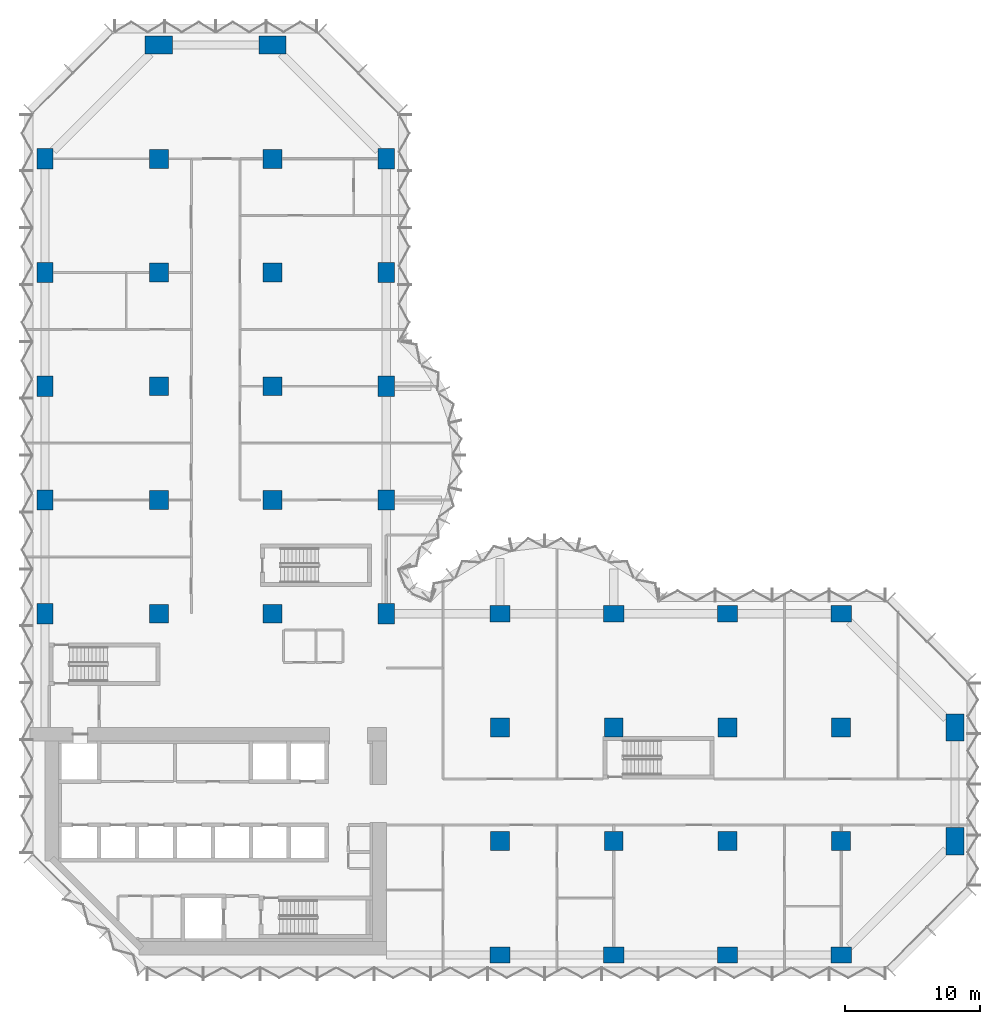
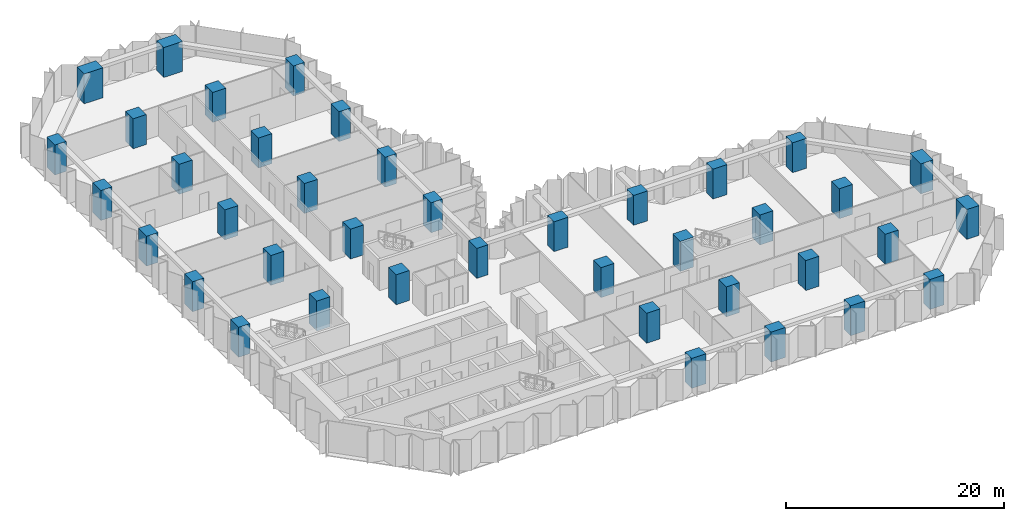
# One storey, part 1 of 15: 40 columns.
"""IFC4 building model written with IfcOpenShell, lengths in metres."""

from ifc_helpers import new_model, si_unit, direction, frame, origin, origin_2d, place, context, subcontext, project, spatial, rectangle, extrude, material, material_profile, profile_set, type_object, element, save


model = new_model("IFC4")

# Units and contexts
model_context = context("Model", 3, precision=1e-05, world=origin(), true_north=direction((0.0, 1.0)))
body_context = subcontext(model_context, "Body", "Model", "MODEL_VIEW")
ifc_project = project(units=[si_unit("LENGTHUNIT", "METRE"), si_unit("AREAUNIT", "SQUARE_METRE"), si_unit("VOLUMEUNIT", "CUBIC_METRE"), si_unit("PLANEANGLEUNIT", "RADIAN"), si_unit("MASSUNIT", "GRAM", prefix="KILO")], contexts=[model_context])

# Site, building, storey
site_placement = place(None, origin())
site = spatial("IfcSite", under=ifc_project, at=site_placement, CompositionType="ELEMENT")
building_placement = place(site_placement, origin())
building = spatial("IfcBuilding", under=site, at=building_placement, Name="Brevane Broadcast Tower", CompositionType="ELEMENT")
storey_placement = place(building_placement, frame((0.0, 0.0, 54.5)))
storey = spatial("IfcBuildingStorey", under=building, at=storey_placement, Name="L11", CompositionType="ELEMENT", Elevation=54.5)

# Columns
ifc_material = material(Name="Concrete C80/95", Category="concrete")
ifc_material_profile_1 = material_profile(ifc_material, rectangle(XDim=1.199951171875, YDim=1.5, at=origin_2d()), Name="RC 1200x1500")
ifc_profile_set_1 = profile_set([ifc_material_profile_1], Name="Concrete C80/95")
column_type_1 = type_object("IfcColumnType", Name="RC COLUMN EDGE 1200x1500 C80/95", PredefinedType="COLUMN", material=ifc_profile_set_1)
for number, where, z_axis, x_axis, name in (
    (1, (0.0, 25.199951171875, 0.0), (0.0, 0.0, 1.0), (1.0, 0.0, 0.0), "CE5 1/D"),
    (2, (0.0, 33.60009765625, 0.0), (0.0, 0.0, 1.0), (1.0, 0.0, 0.0), "CE5 1/E"),
    (3, (0.0, 42.0, 0.0), (0.0, 0.0, 1.0), (1.0, 0.0, 0.0), "CE5 1/F"),
    (4, (0.0, 50.39990234375, 0.0), (0.0, 0.0, 1.0), (1.0, 0.0, 0.0), "CE5 1/G"),
    (5, (0.0, 58.800048828125, 0.0), (0.0, 0.0, 1.0), (1.0, 0.0, 0.0), "CE5 1/H"),
    (6, (25.199951171875, 25.199951171875, 0.0), (0.0, 0.0, 1.0), (1.0, 0.0, 0.0), "CE5 4/D"),
    (7, (25.199951171875, 33.60009765625, 0.0), (0.0, 0.0, 1.0), (1.0, 0.0, 0.0), "CE5 4/E"),
    (8, (25.199951171875, 42.0, 0.0), (0.0, 0.0, 1.0), (1.0, 0.0, 0.0), "CE5 4/F"),
    (9, (25.199951171875, 50.39990234375, 0.0), (0.0, 0.0, 1.0), (1.0, 0.0, 0.0), "CE5 4/G"),
    (10, (25.199951171875, 58.800048828125, 0.0), (0.0, 0.0, 1.0), (1.0, 0.0, 0.0), "CE5 4/H"),
    (11, (33.60009765625, 0.0, 0.0), (0.0, 0.0, 1.0), (0.0, 1.0, 0.0), "CE5 5/A"),
    (12, (33.60009765625, 25.199951171875, 0.0), (0.0, 0.0, 1.0), (0.0, 1.0, 0.0), "CE5 5/D"),
    (13, (42.0, 0.0, 0.0), (0.0, 0.0, 1.0), (0.0, 1.0, 0.0), "CE5 6/A"),
    (14, (42.0, 25.199951171875, 0.0), (0.0, 0.0, 1.0), (0.0, 1.0, 0.0), "CE5 6/D"),
    (15, (50.39990234375, 0.0, 0.0), (0.0, 0.0, 1.0), (0.0, 1.0, 0.0), "CE5 7/A"),
    (16, (50.39990234375, 25.199951171875, 0.0), (0.0, 0.0, 1.0), (0.0, 1.0, 0.0), "CE5 7/D"),
    (17, (58.800048828125, 0.0, 0.0), (0.0, 0.0, 1.0), (0.0, 1.0, 0.0), "CE5 8/A"),
    (18, (58.800048828125, 25.199951171875, 0.0), (0.0, 0.0, 1.0), (0.0, 1.0, 0.0), "CE5 8/D"),
):
    element("IfcColumn", number, at=place(storey_placement, frame(where, z_axis=z_axis, x_axis=x_axis)), inside=storey, type_object=column_type_1, Name=name, PredefinedType="COLUMN", context=body_context, shape_type="SweptSolid", body=[
        extrude(rectangle(XDim=1.199951171875, YDim=1.5, at=origin_2d()), origin(), (0.0, 0.0, 1.0), 3.35009765625),
    ])
ifc_material_profile_2 = material_profile(ifc_material, rectangle(XDim=1.39990234375, YDim=1.39990234375, at=origin_2d()), Name="RC 1400x1400")
ifc_profile_set_2 = profile_set([ifc_material_profile_2], Name="Concrete C80/95")
column_type_2 = type_object("IfcColumnType", Name="RC COLUMN INTERIOR 1400x1400 C80/95", PredefinedType="COLUMN", material=ifc_profile_set_2)
for number, where, z_axis, x_axis, name in (
    (19, (8.39990234375, 25.199951171875, 0.0), (0.0, 0.0, 1.0), (1.0, 0.0, 0.0), "CI6 2/D"),
    (20, (8.39990234375, 33.60009765625, 0.0), (0.0, 0.0, 1.0), (1.0, 0.0, 0.0), "CI6 2/E"),
    (21, (8.39990234375, 42.0, 0.0), (0.0, 0.0, 1.0), (1.0, 0.0, 0.0), "CI6 2/F"),
    (22, (8.39990234375, 50.39990234375, 0.0), (0.0, 0.0, 1.0), (1.0, 0.0, 0.0), "CI6 2/G"),
    (23, (8.39990234375, 58.800048828125, 0.0), (0.0, 0.0, 1.0), (1.0, 0.0, 0.0), "CI6 2/H"),
    (24, (16.800048828125, 25.199951171875, 0.0), (0.0, 0.0, 1.0), (1.0, 0.0, 0.0), "CI6 3/D"),
    (25, (16.800048828125, 33.60009765625, 0.0), (0.0, 0.0, 1.0), (1.0, 0.0, 0.0), "CI6 3/E"),
    (26, (16.800048828125, 42.0, 0.0), (0.0, 0.0, 1.0), (1.0, 0.0, 0.0), "CI6 3/F"),
    (27, (16.800048828125, 50.39990234375, 0.0), (0.0, 0.0, 1.0), (1.0, 0.0, 0.0), "CI6 3/G"),
    (28, (16.800048828125, 58.800048828125, 0.0), (0.0, 0.0, 1.0), (1.0, 0.0, 0.0), "CI6 3/H"),
    (29, (33.60009765625, 8.39990234375, 0.0), (0.0, 0.0, 1.0), (1.0, 0.0, 0.0), "CI6 5/B"),
    (30, (33.60009765625, 16.800048828125, 0.0), (0.0, 0.0, 1.0), (1.0, 0.0, 0.0), "CI6 5/C"),
    (31, (42.0, 8.39990234375, 0.0), (0.0, 0.0, 1.0), (1.0, 0.0, 0.0), "CI6 6/B"),
    (32, (42.0, 16.800048828125, 0.0), (0.0, 0.0, 1.0), (1.0, 0.0, 0.0), "CI6 6/C"),
    (33, (50.39990234375, 8.39990234375, 0.0), (0.0, 0.0, 1.0), (1.0, 0.0, 0.0), "CI6 7/B"),
    (34, (50.39990234375, 16.800048828125, 0.0), (0.0, 0.0, 1.0), (1.0, 0.0, 0.0), "CI6 7/C"),
    (35, (58.800048828125, 8.39990234375, 0.0), (0.0, 0.0, 1.0), (1.0, 0.0, 0.0), "CI6 8/B"),
    (36, (58.800048828125, 16.800048828125, 0.0), (0.0, 0.0, 1.0), (1.0, 0.0, 0.0), "CI6 8/C"),
):
    element("IfcColumn", number, at=place(storey_placement, frame(where, z_axis=z_axis, x_axis=x_axis)), inside=storey, type_object=column_type_2, Name=name, PredefinedType="COLUMN", context=body_context, shape_type="SweptSolid", body=[
        extrude(rectangle(XDim=1.39990234375, YDim=1.39990234375, at=origin_2d()), origin(), (0.0, 0.0, 1.0), 3.35009765625),
    ])
ifc_material_profile_3 = material_profile(ifc_material, rectangle(XDim=1.300048828125, YDim=2.0, at=origin_2d()), Name="RC 1300x2000")
ifc_profile_set_3 = profile_set([ifc_material_profile_3], Name="Concrete C80/95")
column_type_3 = type_object("IfcColumnType", Name="RC COLUMN WING-END 1300x2000 C80/95", PredefinedType="COLUMN", material=ifc_profile_set_3)
for number, where, z_axis, x_axis, name in (
    (37, (8.39990234375, 67.199951171875, 0.0), (0.0, 0.0, 1.0), (0.0, 1.0, 0.0), "CW7 2/I"),
    (38, (16.800048828125, 67.199951171875, 0.0), (0.0, 0.0, 1.0), (0.0, 1.0, 0.0), "CW7 3/I"),
    (39, (67.199951171875, 8.39990234375, 0.0), (0.0, 0.0, 1.0), (1.0, 0.0, 0.0), "CW7 9/B"),
    (40, (67.199951171875, 16.800048828125, 0.0), (0.0, 0.0, 1.0), (1.0, 0.0, 0.0), "CW7 9/C"),
):
    element("IfcColumn", number, at=place(storey_placement, frame(where, z_axis=z_axis, x_axis=x_axis)), inside=storey, type_object=column_type_3, Name=name, PredefinedType="COLUMN", context=body_context, shape_type="SweptSolid", body=[
        extrude(rectangle(XDim=1.300048828125, YDim=2.0, at=origin_2d()), origin(), (0.0, 0.0, 1.0), 3.35009765625),
    ])

save(model, "model.ifc")
